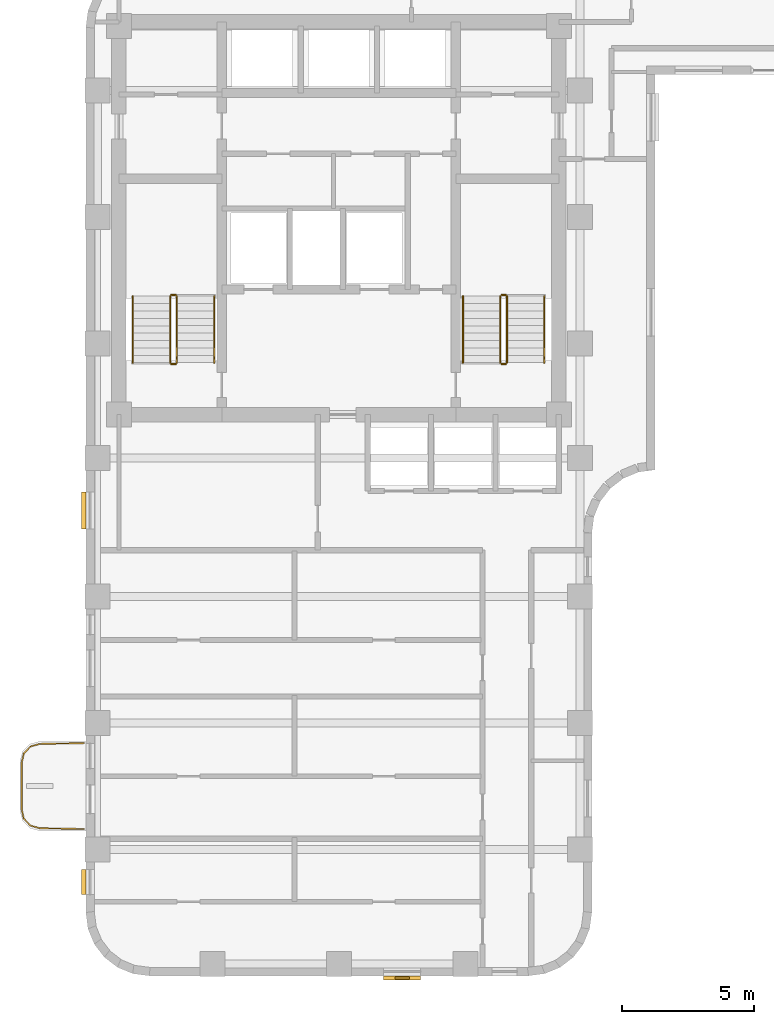
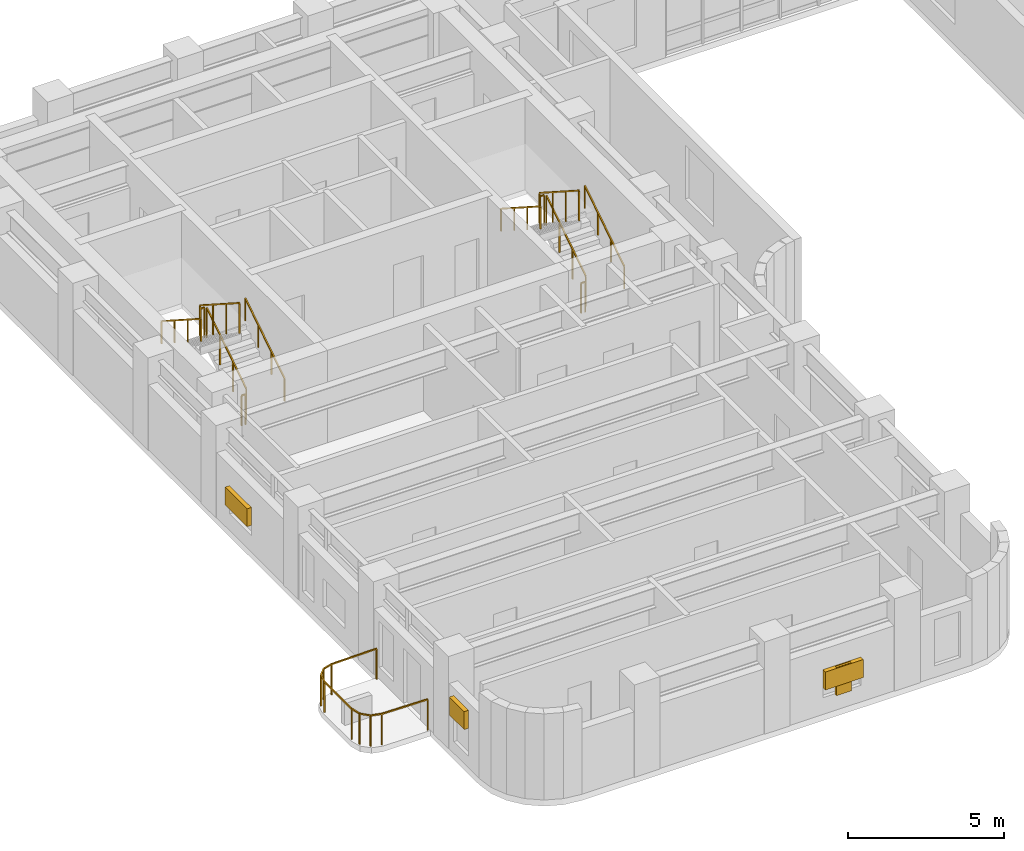
# One storey, part 9 of 11: 13 railings, 4 shading devices.
"""IFC4 building model written with IfcOpenShell, lengths in metres."""

from ifc_helpers import new_model, si_unit, direction, frame, origin, origin_2d, place, context, subcontext, project, spatial, rectangle, extrude, material, type_object, element, save


model = new_model("IFC4")

# Units and contexts
model_context = context("Model", 3, precision=1e-05, world=origin(), true_north=direction((0.0, 1.0)))
body_context = subcontext(model_context, "Body", "Model", "MODEL_VIEW")
ifc_project = project(units=[si_unit("LENGTHUNIT", "METRE"), si_unit("AREAUNIT", "SQUARE_METRE"), si_unit("VOLUMEUNIT", "CUBIC_METRE"), si_unit("PLANEANGLEUNIT", "RADIAN"), si_unit("MASSUNIT", "GRAM", prefix="KILO")], contexts=[model_context])

# Site, building, storey
site_placement = place(None, origin())
site = spatial("IfcSite", under=ifc_project, at=site_placement, CompositionType="ELEMENT")
building_placement = place(site_placement, origin())
building = spatial("IfcBuilding", under=site, at=building_placement, Name="Orvandelia Arch Residences", CompositionType="ELEMENT")
storey_placement = place(building_placement, frame((0.0, 0.0, 157.60009765625)))
storey = spatial("IfcBuildingStorey", under=building, at=storey_placement, Name="L41", CompositionType="ELEMENT", Elevation=157.60009765625)

# Railings
ifc_material_1 = material(Name="Marine-Grade Stainless Steel 316", Category="steel")
railing_type_1 = type_object("IfcRailingType", Name="GRD-BAL-1200", PredefinedType="BALUSTRADE", material=ifc_material_1)
railing_1_placement = place(storey_placement, frame((4.728271484375, 18.430419921875, 0.0)))
element("IfcRailing", 1, at=railing_1_placement, inside=storey, type_object=railing_type_1, Name="Safety Balustrade Guard GRD-L41-BAL-L41-W1-1", PredefinedType="BALUSTRADE", context=body_context, shape_type="SweptSolid", body=[
    extrude(rectangle(XDim=0.048095703125, YDim=0.048095703125, at=origin_2d()), frame((0.0, 0.0, 1.19580078125), z_axis=(-0.999834751713, -0.018178813668, 0.0), x_axis=(0.018178813668, -0.999834751713, 0.0)), (0.0, 0.0, 1.0), 1.6787109375),
    extrude(rectangle(XDim=0.048095703125, YDim=0.048095703125, at=origin_2d()), frame((-1.678466796875, -0.030517578125, 1.19580078125), z_axis=(-0.96348920644, -0.267747173792, 0.0), x_axis=(0.267747173792, -0.96348920644, 0.0)), (0.0, 0.0, 1.0), 0.36572265625),
    extrude(rectangle(XDim=0.048095703125, YDim=0.048095703125, at=origin_2d()), frame((-2.03076171875, -0.12841796875, 1.19580078125), z_axis=(-0.688627404251, -0.725115368831, 0.0), x_axis=(0.725115368831, -0.688627404251, 0.0)), (0.0, 0.0, 1.0), 0.367919921875),
    extrude(rectangle(XDim=0.048095703125, YDim=0.048095703125, at=origin_2d()), frame((-2.2841796875, -0.395263671875, 1.19580078125), z_axis=(-0.220602419982, -0.975363815352, 0.0), x_axis=(0.975363815352, -0.220602419982, 0.0)), (0.0, 0.0, 1.0), 0.373046875),
    extrude(rectangle(XDim=0.048095703125, YDim=0.048095703125, at=origin_2d()), frame((-2.366455078125, -0.759033203125, 1.19580078125), z_axis=(0.0, -1.0, 0.0), x_axis=(1.0, 0.0, 0.0)), (0.0, 0.0, 1.0), 1.74267578125),
    extrude(rectangle(XDim=0.048095703125, YDim=0.048095703125, at=origin_2d()), frame((-2.366455078125, -2.501708984375, 1.19580078125), z_axis=(0.220602419982, -0.975363815352, 0.0), x_axis=(0.975363815352, 0.220602419982, 0.0)), (0.0, 0.0, 1.0), 0.373046875),
    extrude(rectangle(XDim=0.048095703125, YDim=0.048095703125, at=origin_2d()), frame((-2.2841796875, -2.865478515625, 1.19580078125), z_axis=(0.688296224633, -0.725429739642, 0.0), x_axis=(0.725429739642, 0.688296224633, 0.0)), (0.0, 0.0, 1.0), 0.3681640625),
    extrude(rectangle(XDim=0.048095703125, YDim=0.048095703125, at=origin_2d()), frame((-2.03076171875, -3.132568359375, 1.19580078125), z_axis=(0.96348920644, -0.267747173792, 0.0), x_axis=(0.267747173792, 0.96348920644, 0.0)), (0.0, 0.0, 1.0), 0.36572265625),
    extrude(rectangle(XDim=0.048095703125, YDim=0.048095703125, at=origin_2d()), frame((-1.678466796875, -3.23046875, 1.19580078125), z_axis=(0.999837384468, -0.018033430643, 0.0), x_axis=(0.018033430643, 0.999837384468, 0.0)), (0.0, 0.0, 1.0), 1.6787109375),
    extrude(rectangle(XDim=0.0419921875, YDim=0.0419921875, at=origin_2d()), origin(), (0.0, 0.0, 1.0), 1.171875),
    extrude(rectangle(XDim=0.0419921875, YDim=0.0419921875, at=origin_2d()), frame((-1.678466796875, -0.030517578125, 0.0)), (0.0, 0.0, 1.0), 1.171875),
    extrude(rectangle(XDim=0.0419921875, YDim=0.0419921875, at=origin_2d()), frame((-2.03076171875, -0.12841796875, 0.0)), (0.0, 0.0, 1.0), 1.171875),
    extrude(rectangle(XDim=0.0419921875, YDim=0.0419921875, at=origin_2d()), frame((-2.2841796875, -0.395263671875, 0.0)), (0.0, 0.0, 1.0), 1.171875),
    extrude(rectangle(XDim=0.0419921875, YDim=0.0419921875, at=origin_2d()), frame((-2.366455078125, -0.759033203125, 0.0)), (0.0, 0.0, 1.0), 1.171875),
    extrude(rectangle(XDim=0.0419921875, YDim=0.0419921875, at=origin_2d()), frame((-2.366455078125, -2.501708984375, 0.0)), (0.0, 0.0, 1.0), 1.171875),
    extrude(rectangle(XDim=0.0419921875, YDim=0.0419921875, at=origin_2d()), frame((-2.2841796875, -2.865478515625, 0.0)), (0.0, 0.0, 1.0), 1.171875),
    extrude(rectangle(XDim=0.0419921875, YDim=0.0419921875, at=origin_2d()), frame((-2.03076171875, -3.132568359375, 0.0)), (0.0, 0.0, 1.0), 1.171875),
    extrude(rectangle(XDim=0.0419921875, YDim=0.0419921875, at=origin_2d()), frame((-1.678466796875, -3.23046875, 0.0)), (0.0, 0.0, 1.0), 1.171875),
    extrude(rectangle(XDim=0.0419921875, YDim=0.0419921875, at=origin_2d()), frame((0.0, -3.2607421875, 0.0)), (0.0, 0.0, 1.0), 1.171875),
])
ifc_material_2 = material(Name="Brushed Stainless Steel 304", Category="steel")
railing_type_2 = type_object("IfcRailingType", Name="RL-STAIR-GD1120", PredefinedType="GUARDRAIL", material=ifc_material_2)
railing_2_placement = place(storey_placement, frame((8.25, 32.8701171875, 0.179931640625)))
element("IfcRailing", 2, at=railing_2_placement, inside=storey, type_object=railing_type_2, Name="L41 ST-1 stair guard 1", PredefinedType="GUARDRAIL", context=body_context, shape_type="SweptSolid", body=[
    extrude(rectangle(XDim=0.048095703125, YDim=0.048095703125, at=origin_2d()), frame((0.0, 0.0, 1.17578125), z_axis=(0.0, 0.841175827307, 0.540761710511), x_axis=(-1.0, 0.0, 0.0)), (0.0, 0.0, 1.0), 2.99560546875),
    extrude(rectangle(XDim=0.0419921875, YDim=0.0419921875, at=origin_2d()), origin(), (0.0, 0.0, 1.0), 1.15185546875),
    extrude(rectangle(XDim=0.0419921875, YDim=0.0419921875, at=origin_2d()), frame((0.0, 0.83984375, 0.5400390625)), (0.0, 0.0, 1.0), 1.15185546875),
    extrude(rectangle(XDim=0.0419921875, YDim=0.0419921875, at=origin_2d()), frame((0.0, 1.679931640625, 1.079833984375)), (0.0, 0.0, 1.0), 1.15185546875),
    extrude(rectangle(XDim=0.0419921875, YDim=0.0419921875, at=origin_2d()), frame((0.0, 2.519775390625, 1.619873046875)), (0.0, 0.0, 1.0), 1.15185546875),
])
railing_3_placement = place(storey_placement, frame((8.199951171875, 35.43994140625, 1.7998046875)))
element("IfcRailing", 3, at=railing_3_placement, inside=storey, type_object=railing_type_2, Name="L41 ST-1 stair guard 2", PredefinedType="GUARDRAIL", context=body_context, shape_type="SweptSolid", body=[
    extrude(rectangle(XDim=0.048095703125, YDim=0.048095703125, at=origin_2d()), frame((0.0, 0.0, 1.17578125), z_axis=(-1.0, 0.0, 0.0), x_axis=(0.0, -1.0, 0.0)), (0.0, 0.0, 1.0), 0.14990234375),
    extrude(rectangle(XDim=0.0419921875, YDim=0.0419921875, at=origin_2d()), origin(), (0.0, 0.0, 1.0), 1.15185546875),
    extrude(rectangle(XDim=0.0419921875, YDim=0.0419921875, at=origin_2d()), frame((-0.14990234375, 0.0, 0.0)), (0.0, 0.0, 1.0), 1.15185546875),
])
railing_4_placement = place(storey_placement, frame((8.0, 35.389892578125, 1.97998046875)))
element("IfcRailing", 4, at=railing_4_placement, inside=storey, type_object=railing_type_2, Name="L41 ST-1 stair guard 3", PredefinedType="GUARDRAIL", context=body_context, shape_type="SweptSolid", body=[
    extrude(rectangle(XDim=0.048095703125, YDim=0.048095703125, at=origin_2d()), frame((0.0, 0.0, 1.17578125), z_axis=(0.0, -0.841175827307, 0.540761710511), x_axis=(1.0, 0.0, 0.0)), (0.0, 0.0, 1.0), 2.99560546875),
    extrude(rectangle(XDim=0.0419921875, YDim=0.0419921875, at=origin_2d()), origin(), (0.0, 0.0, 1.0), 1.15185546875),
    extrude(rectangle(XDim=0.0419921875, YDim=0.0419921875, at=origin_2d()), frame((0.0, -0.83984375, 0.5400390625)), (0.0, 0.0, 1.0), 1.15185546875),
    extrude(rectangle(XDim=0.0419921875, YDim=0.0419921875, at=origin_2d()), frame((0.0, -1.679931640625, 1.079833984375)), (0.0, 0.0, 1.0), 1.15185546875),
    extrude(rectangle(XDim=0.0419921875, YDim=0.0419921875, at=origin_2d()), frame((0.0, -2.519775390625, 1.619873046875)), (0.0, 0.0, 1.0), 1.15185546875),
])
railing_5_placement = place(storey_placement, frame((8.199951171875, 32.820068359375, 0.0)))
element("IfcRailing", 5, at=railing_5_placement, inside=storey, type_object=railing_type_2, Name="L41 ST-1 stair guard 4", PredefinedType="GUARDRAIL", context=body_context, shape_type="SweptSolid", body=[
    extrude(rectangle(XDim=0.048095703125, YDim=0.048095703125, at=origin_2d()), frame((0.0, 0.0, 1.17578125), z_axis=(-1.0, 0.0, 0.0), x_axis=(0.0, -1.0, 0.0)), (0.0, 0.0, 1.0), 0.14990234375),
    extrude(rectangle(XDim=0.0419921875, YDim=0.0419921875, at=origin_2d()), origin(), (0.0, 0.0, 1.0), 1.15185546875),
    extrude(rectangle(XDim=0.0419921875, YDim=0.0419921875, at=origin_2d()), frame((-0.14990234375, 0.0, 0.0)), (0.0, 0.0, 1.0), 1.15185546875),
])
railing_6_placement = place(storey_placement, frame((20.780029296875, 32.8701171875, 0.179931640625)))
element("IfcRailing", 6, at=railing_6_placement, inside=storey, type_object=railing_type_2, Name="L41 ST-2 stair guard 1", PredefinedType="GUARDRAIL", context=body_context, shape_type="SweptSolid", body=[
    extrude(rectangle(XDim=0.048095703125, YDim=0.048095703125, at=origin_2d()), frame((0.0, 0.0, 1.17578125), z_axis=(0.0, 0.841175827307, 0.540761710511), x_axis=(-1.0, 0.0, 0.0)), (0.0, 0.0, 1.0), 2.99560546875),
    extrude(rectangle(XDim=0.0419921875, YDim=0.0419921875, at=origin_2d()), origin(), (0.0, 0.0, 1.0), 1.15185546875),
    extrude(rectangle(XDim=0.0419921875, YDim=0.0419921875, at=origin_2d()), frame((0.0, 0.83984375, 0.5400390625)), (0.0, 0.0, 1.0), 1.15185546875),
    extrude(rectangle(XDim=0.0419921875, YDim=0.0419921875, at=origin_2d()), frame((0.0, 1.679931640625, 1.079833984375)), (0.0, 0.0, 1.0), 1.15185546875),
    extrude(rectangle(XDim=0.0419921875, YDim=0.0419921875, at=origin_2d()), frame((0.0, 2.519775390625, 1.619873046875)), (0.0, 0.0, 1.0), 1.15185546875),
])
railing_7_placement = place(storey_placement, frame((20.72998046875, 35.43994140625, 1.7998046875)))
element("IfcRailing", 7, at=railing_7_placement, inside=storey, type_object=railing_type_2, Name="L41 ST-2 stair guard 2", PredefinedType="GUARDRAIL", context=body_context, shape_type="SweptSolid", body=[
    extrude(rectangle(XDim=0.048095703125, YDim=0.048095703125, at=origin_2d()), frame((0.0, 0.0, 1.17578125), z_axis=(-1.0, 0.0, 0.0), x_axis=(0.0, -1.0, 0.0)), (0.0, 0.0, 1.0), 0.14990234375),
    extrude(rectangle(XDim=0.0419921875, YDim=0.0419921875, at=origin_2d()), origin(), (0.0, 0.0, 1.0), 1.15185546875),
    extrude(rectangle(XDim=0.0419921875, YDim=0.0419921875, at=origin_2d()), frame((-0.14990234375, 0.0, 0.0)), (0.0, 0.0, 1.0), 1.15185546875),
])
railing_8_placement = place(storey_placement, frame((20.530029296875, 35.389892578125, 1.97998046875)))
element("IfcRailing", 8, at=railing_8_placement, inside=storey, type_object=railing_type_2, Name="L41 ST-2 stair guard 3", PredefinedType="GUARDRAIL", context=body_context, shape_type="SweptSolid", body=[
    extrude(rectangle(XDim=0.048095703125, YDim=0.048095703125, at=origin_2d()), frame((0.0, 0.0, 1.17578125), z_axis=(0.0, -0.841175827307, 0.540761710511), x_axis=(1.0, 0.0, 0.0)), (0.0, 0.0, 1.0), 2.99560546875),
    extrude(rectangle(XDim=0.0419921875, YDim=0.0419921875, at=origin_2d()), origin(), (0.0, 0.0, 1.0), 1.15185546875),
    extrude(rectangle(XDim=0.0419921875, YDim=0.0419921875, at=origin_2d()), frame((0.0, -0.83984375, 0.5400390625)), (0.0, 0.0, 1.0), 1.15185546875),
    extrude(rectangle(XDim=0.0419921875, YDim=0.0419921875, at=origin_2d()), frame((0.0, -1.679931640625, 1.079833984375)), (0.0, 0.0, 1.0), 1.15185546875),
    extrude(rectangle(XDim=0.0419921875, YDim=0.0419921875, at=origin_2d()), frame((0.0, -2.519775390625, 1.619873046875)), (0.0, 0.0, 1.0), 1.15185546875),
])
railing_9_placement = place(storey_placement, frame((20.72998046875, 32.820068359375, 0.0)))
element("IfcRailing", 9, at=railing_9_placement, inside=storey, type_object=railing_type_2, Name="L41 ST-2 stair guard 4", PredefinedType="GUARDRAIL", context=body_context, shape_type="SweptSolid", body=[
    extrude(rectangle(XDim=0.048095703125, YDim=0.048095703125, at=origin_2d()), frame((0.0, 0.0, 1.17578125), z_axis=(-1.0, 0.0, 0.0), x_axis=(0.0, -1.0, 0.0)), (0.0, 0.0, 1.0), 0.14990234375),
    extrude(rectangle(XDim=0.0419921875, YDim=0.0419921875, at=origin_2d()), origin(), (0.0, 0.0, 1.0), 1.15185546875),
    extrude(rectangle(XDim=0.0419921875, YDim=0.0419921875, at=origin_2d()), frame((-0.14990234375, 0.0, 0.0)), (0.0, 0.0, 1.0), 1.15185546875),
])
railing_type_3 = type_object("IfcRailingType", Name="RL-STAIR-HR920", PredefinedType="HANDRAIL", material=ifc_material_2)
railing_10_placement = place(storey_placement, frame((9.669921875, 32.8701171875, 0.35986328125)))
element("IfcRailing", 10, at=railing_10_placement, inside=storey, type_object=railing_type_3, Name="L41 ST-1 stair handrail 1", PredefinedType="HANDRAIL", context=body_context, shape_type="SweptSolid", body=[
    extrude(rectangle(XDim=0.048095703125, YDim=0.048095703125, at=origin_2d()), frame((0.0, 0.0, 0.8759765625), z_axis=(0.0, 0.841138753965, 0.540819375188), x_axis=(-1.0, 0.0, 0.0)), (0.0, 0.0, 1.0), 2.99560546875),
    extrude(rectangle(XDim=0.0419921875, YDim=0.0419921875, at=origin_2d()), origin(), (0.0, 0.0, 1.0), 0.851806640625),
    extrude(rectangle(XDim=0.0419921875, YDim=0.0419921875, at=origin_2d()), frame((0.0, 0.83984375, 0.5400390625)), (0.0, 0.0, 1.0), 0.851806640625),
    extrude(rectangle(XDim=0.0419921875, YDim=0.0419921875, at=origin_2d()), frame((0.0, 1.679931640625, 1.080078125)), (0.0, 0.0, 1.0), 0.851806640625),
    extrude(rectangle(XDim=0.0419921875, YDim=0.0419921875, at=origin_2d()), frame((0.0, 2.519775390625, 1.6201171875)), (0.0, 0.0, 1.0), 0.851806640625),
])
railing_11_placement = place(storey_placement, frame((6.580078125, 35.389892578125, 2.159912109375)))
element("IfcRailing", 11, at=railing_11_placement, inside=storey, type_object=railing_type_3, Name="L41 ST-1 stair handrail 2", PredefinedType="HANDRAIL", context=body_context, shape_type="SweptSolid", body=[
    extrude(rectangle(XDim=0.048095703125, YDim=0.048095703125, at=origin_2d()), frame((0.0, 0.0, 0.8759765625), z_axis=(0.0, -0.841175827307, 0.540761710511), x_axis=(1.0, 0.0, 0.0)), (0.0, 0.0, 1.0), 2.99560546875),
    extrude(rectangle(XDim=0.0419921875, YDim=0.0419921875, at=origin_2d()), origin(), (0.0, 0.0, 1.0), 0.851806640625),
    extrude(rectangle(XDim=0.0419921875, YDim=0.0419921875, at=origin_2d()), frame((0.0, -0.83984375, 0.5400390625)), (0.0, 0.0, 1.0), 0.851806640625),
    extrude(rectangle(XDim=0.0419921875, YDim=0.0419921875, at=origin_2d()), frame((0.0, -1.679931640625, 1.079833984375)), (0.0, 0.0, 1.0), 0.851806640625),
    extrude(rectangle(XDim=0.0419921875, YDim=0.0419921875, at=origin_2d()), frame((0.0, -2.519775390625, 1.619873046875)), (0.0, 0.0, 1.0), 0.851806640625),
])
railing_12_placement = place(storey_placement, frame((22.199951171875, 32.8701171875, 0.35986328125)))
element("IfcRailing", 12, at=railing_12_placement, inside=storey, type_object=railing_type_3, Name="L41 ST-2 stair handrail 1", PredefinedType="HANDRAIL", context=body_context, shape_type="SweptSolid", body=[
    extrude(rectangle(XDim=0.048095703125, YDim=0.048095703125, at=origin_2d()), frame((0.0, 0.0, 0.8759765625), z_axis=(0.0, 0.841138753965, 0.540819375188), x_axis=(-1.0, 0.0, 0.0)), (0.0, 0.0, 1.0), 2.99560546875),
    extrude(rectangle(XDim=0.0419921875, YDim=0.0419921875, at=origin_2d()), origin(), (0.0, 0.0, 1.0), 0.851806640625),
    extrude(rectangle(XDim=0.0419921875, YDim=0.0419921875, at=origin_2d()), frame((0.0, 0.83984375, 0.5400390625)), (0.0, 0.0, 1.0), 0.851806640625),
    extrude(rectangle(XDim=0.0419921875, YDim=0.0419921875, at=origin_2d()), frame((0.0, 1.679931640625, 1.080078125)), (0.0, 0.0, 1.0), 0.851806640625),
    extrude(rectangle(XDim=0.0419921875, YDim=0.0419921875, at=origin_2d()), frame((0.0, 2.519775390625, 1.6201171875)), (0.0, 0.0, 1.0), 0.851806640625),
])
railing_13_placement = place(storey_placement, frame((19.110107421875, 35.389892578125, 2.159912109375)))
element("IfcRailing", 13, at=railing_13_placement, inside=storey, type_object=railing_type_3, Name="L41 ST-2 stair handrail 2", PredefinedType="HANDRAIL", context=body_context, shape_type="SweptSolid", body=[
    extrude(rectangle(XDim=0.048095703125, YDim=0.048095703125, at=origin_2d()), frame((0.0, 0.0, 0.8759765625), z_axis=(0.0, -0.841175827307, 0.540761710511), x_axis=(1.0, 0.0, 0.0)), (0.0, 0.0, 1.0), 2.99560546875),
    extrude(rectangle(XDim=0.0419921875, YDim=0.0419921875, at=origin_2d()), origin(), (0.0, 0.0, 1.0), 0.851806640625),
    extrude(rectangle(XDim=0.0419921875, YDim=0.0419921875, at=origin_2d()), frame((0.0, -0.83984375, 0.5400390625)), (0.0, 0.0, 1.0), 0.851806640625),
    extrude(rectangle(XDim=0.0419921875, YDim=0.0419921875, at=origin_2d()), frame((0.0, -1.679931640625, 1.079833984375)), (0.0, 0.0, 1.0), 0.851806640625),
    extrude(rectangle(XDim=0.0419921875, YDim=0.0419921875, at=origin_2d()), frame((0.0, -2.519775390625, 1.619873046875)), (0.0, 0.0, 1.0), 0.851806640625),
])

# Shading devices
ifc_material_3 = material(Name="Anodised Champagne-Bronze Extruded Aluminium", Category="aluminium")
shading_device_type_1 = type_object("IfcShadingDeviceType", Name="SHD-JALOUSIE-SCREEN", PredefinedType="JALOUSIE", material=ifc_material_3)
shading_device_1_placement = place(storey_placement, frame((16.800048828125, 9.52001953125, 1.0498046875), z_axis=(0.0, 0.0, 1.0), x_axis=(-1.0, 0.0, 0.0)))
element("IfcShadingDevice", 14, at=shading_device_1_placement, inside=storey, type_object=shading_device_type_1, Name="Bronze Jalousie Sun-Shade L41-006", PredefinedType="JALOUSIE", context=body_context, shape_type="SweptSolid", body=[
    extrude(rectangle(XDim=1.39990234375, YDim=0.159912109375, at=origin_2d()), origin(), (0.0, 0.0, 1.0), 0.699951171875),
])
shading_device_2_placement = place(storey_placement, frame((4.719970703125, 13.157470703125, 1.5498046875), z_axis=(0.0, 0.0, 1.0), x_axis=(0.0, 1.0, 0.0)))
element("IfcShadingDevice", 15, at=shading_device_2_placement, inside=storey, type_object=shading_device_type_1, Name="Bronze Jalousie Sun-Shade L41-007", PredefinedType="JALOUSIE", context=body_context, shape_type="SweptSolid", body=[
    extrude(rectangle(XDim=0.949951171875, YDim=0.159912109375, at=origin_2d()), origin(), (0.0, 0.0, 1.0), 0.699951171875),
])
shading_device_3_placement = place(storey_placement, frame((4.719970703125, 27.257568359375, 1.0498046875), z_axis=(0.0, 0.0, 1.0), x_axis=(0.0, 1.0, 0.0)))
element("IfcShadingDevice", 16, at=shading_device_3_placement, inside=storey, type_object=shading_device_type_1, Name="Bronze Jalousie Sun-Shade L41-008", PredefinedType="JALOUSIE", context=body_context, shape_type="SweptSolid", body=[
    extrude(rectangle(XDim=1.39990234375, YDim=0.159912109375, at=origin_2d()), origin(), (0.0, 0.0, 1.0), 0.699951171875),
])
ifc_material_4 = material(Name="Marine-Grade Perforated Aluminium Storm Shutter", Category="aluminium")
shading_device_type_2 = type_object("IfcShadingDeviceType", Name="SHD-STORM-SHUTTER", PredefinedType="SHUTTER", material=ifc_material_4)
shading_device_4_placement = place(storey_placement, frame((16.800048828125, 9.52001953125, 0.64990234375), z_axis=(0.0, 0.0, 1.0), x_axis=(-1.0, 0.0, 0.0)))
element("IfcShadingDevice", 17, at=shading_device_4_placement, inside=storey, type_object=shading_device_type_2, Name="Operable Typhoon Storm Shutter L41-006", PredefinedType="SHUTTER", context=body_context, shape_type="SweptSolid", body=[
    extrude(rectangle(XDim=0.550048828125, YDim=0.080078125, at=origin_2d()), origin(), (0.0, 0.0, 1.0), 1.10009765625),
])

save(model, "model.ifc")
